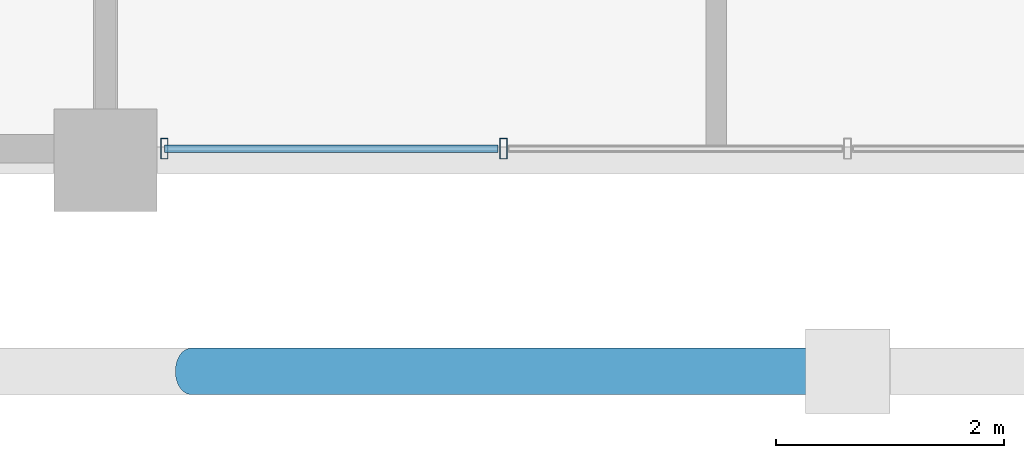
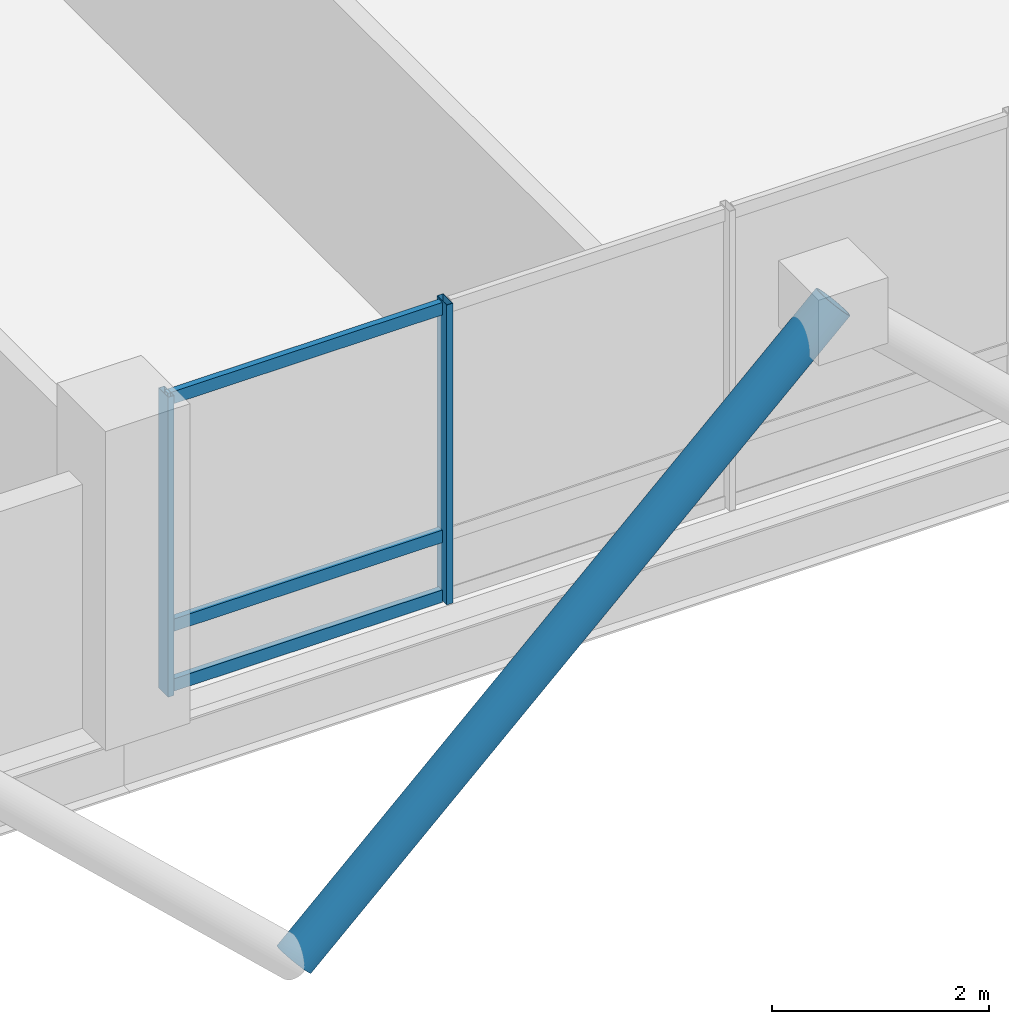
# One storey, part 2 of 23: 6 members, 1 element without a shape of its own.
"""IFC4 building model written with IfcOpenShell, lengths in metres."""

from ifc_helpers import new_model, si_unit, direction, frame, origin, origin_2d, place, context, subcontext, project, spatial, hollow_rectangle, hollow_circle, extrude, material, layer, layer_set, material_profile, profile_set, type_object, element, aggregate, save


model = new_model("IFC4")

# Units and contexts
model_context = context("Model", 3, precision=1e-05, world=origin(), true_north=direction((0.0, 1.0)))
body_context = subcontext(model_context, "Body", "Model", "MODEL_VIEW")
ifc_project = project(units=[si_unit("LENGTHUNIT", "METRE"), si_unit("AREAUNIT", "SQUARE_METRE"), si_unit("VOLUMEUNIT", "CUBIC_METRE"), si_unit("PLANEANGLEUNIT", "RADIAN"), si_unit("MASSUNIT", "GRAM", prefix="KILO")], contexts=[model_context])

# Site, building, storey
site_placement = place(None, origin())
site = spatial("IfcSite", under=ifc_project, at=site_placement, CompositionType="ELEMENT")
building_placement = place(site_placement, origin())
building = spatial("IfcBuilding", under=site, at=building_placement, Name="Barlavira Tower and Art Museum", CompositionType="ELEMENT")
storey_placement = place(building_placement, frame((0.0, 0.0, 290.699951171875)))
storey = spatial("IfcBuildingStorey", under=building, at=storey_placement, Name="L76", CompositionType="ELEMENT", Elevation=290.699951171875)

# Curtain wall, members
ifc_material_1 = material(Name="Low-iron coastal laminated glass", Category="glass")
ifc_layer = layer(ifc_material_1, 0.2099609375, Name="Low-iron coastal laminated glass")
ifc_layer_set = layer_set([ifc_layer], Name="Low-iron coastal laminated glass")
curtain_wall_type = type_object("IfcCurtainWallType", Name="Pale-Metal Unitised Curtain Wall Zone 4", PredefinedType="NOTDEFINED", material=ifc_layer_set)
curtain_wall_placement = place(storey_placement, origin())
curtain_wall = element("IfcCurtainWall", 1, at=curtain_wall_placement, inside=storey, type_object=curtain_wall_type, Name="L76 Curtain Wall CW4-L76-S-B2", PredefinedType="NOTDEFINED")
ifc_material_2 = material(Name="Pale anodised aluminium", Category="aluminium")
ifc_material_profile_1 = material_profile(ifc_material_2, hollow_rectangle(XDim=0.06494140625, YDim=0.179931640625, WallThickness=0.00390625, at=origin_2d()), Name="ALU-MULL 65x180x4")
ifc_profile_set_1 = profile_set([ifc_material_profile_1], Name="Pale anodised aluminium")
member_type_1 = type_object("IfcMemberType", Name="Curtain Wall Pale-Metal Mullion 65x180", PredefinedType="MULLION", material=ifc_profile_set_1)
member_1_placement = place(storey_placement, frame((-5.985107421875, -19.89990234375, 0.0), z_axis=(0.0, 0.0, 1.0), x_axis=(1.0, 0.0, 0.0)))
member_1 = element("IfcMember", 2, at=member_1_placement, type_object=member_type_1, Name="CW4-L76-S-B2 Mullion 0", PredefinedType="MULLION", context=body_context, shape_type="SweptSolid", body=[
    extrude(hollow_rectangle(XDim=0.06494140625, YDim=0.179931640625, WallThickness=0.00390625, at=origin_2d()), origin(), (0.0, 0.0, 1.0), 3.380126953125),
])
member_2_placement = place(storey_placement, frame((-3.014892578125, -19.89990234375, 0.0), z_axis=(0.0, 0.0, 1.0), x_axis=(1.0, 0.0, 0.0)))
member_2 = element("IfcMember", 3, at=member_2_placement, type_object=member_type_1, Name="CW4-L76-S-B2 Mullion 1", PredefinedType="MULLION", context=body_context, shape_type="SweptSolid", body=[
    extrude(hollow_rectangle(XDim=0.06494140625, YDim=0.179931640625, WallThickness=0.00390625, at=origin_2d()), origin(), (0.0, 0.0, 1.0), 3.380126953125),
])
ifc_material_profile_2 = material_profile(ifc_material_2, hollow_rectangle(XDim=0.06494140625, YDim=0.139892578125, WallThickness=0.00390625, at=origin_2d()), Name="ALU-TRAN 65x140x4")
ifc_profile_set_2 = profile_set([ifc_material_profile_2], Name="Pale anodised aluminium")
member_type_2 = type_object("IfcMemberType", Name="Curtain Wall Pale-Metal Transom 65x140", PredefinedType="USERDEFINED", material=ifc_profile_set_2)
member_3_placement = place(storey_placement, frame((-5.985107421875, -19.89990234375, 0.070068359375), z_axis=(1.0, 0.0, 0.0), x_axis=(0.0, 1.0, 0.0)))
member_3 = element("IfcMember", 4, at=member_3_placement, type_object=member_type_2, Name="CW4-L76-S-B2 Transom 0.1", ObjectType="TRANSOM", PredefinedType="USERDEFINED", context=body_context, shape_type="SweptSolid", body=[
    extrude(hollow_rectangle(XDim=0.06494140625, YDim=0.139892578125, WallThickness=0.00390625, at=origin_2d()), origin(), (0.0, 0.0, 1.0), 2.925048828125),
])
member_4_placement = place(storey_placement, frame((-5.985107421875, -19.89990234375, 0.744140625), z_axis=(1.0, 0.0, 0.0), x_axis=(0.0, 1.0, 0.0)))
member_4 = element("IfcMember", 5, at=member_4_placement, type_object=member_type_2, Name="CW4-L76-S-B2 Transom 0.2", ObjectType="TRANSOM", PredefinedType="USERDEFINED", context=body_context, shape_type="SweptSolid", body=[
    extrude(hollow_rectangle(XDim=0.06494140625, YDim=0.139892578125, WallThickness=0.00390625, at=origin_2d()), origin(), (0.0, 0.0, 1.0), 2.925048828125),
])
member_5_placement = place(storey_placement, frame((-5.985107421875, -19.89990234375, 3.31005859375), z_axis=(1.0, 0.0, 0.0), x_axis=(0.0, 1.0, 0.0)))
member_5 = element("IfcMember", 6, at=member_5_placement, type_object=member_type_2, Name="CW4-L76-S-B2 Transom 0.3", ObjectType="TRANSOM", PredefinedType="USERDEFINED", context=body_context, shape_type="SweptSolid", body=[
    extrude(hollow_rectangle(XDim=0.06494140625, YDim=0.139892578125, WallThickness=0.00390625, at=origin_2d()), origin(), (0.0, 0.0, 1.0), 2.925048828125),
])
aggregate(curtain_wall, [member_1, member_2, member_3, member_4, member_5])

# Member
ifc_material_3 = material(Name="Steel S355", Category="steel")
ifc_material_profile_3 = material_profile(ifc_material_3, hollow_circle(Radius=0.203125, WallThickness=0.01611328125, at=origin_2d()), Name="CHS 406.4x16.0")
ifc_profile_set_3 = profile_set([ifc_material_profile_3], Name="Steel S355")
member_type_3 = type_object("IfcMemberType", Name="Pale-Metal Exoskeleton Diagrid Tube CHS 406x16 Steel S355", PredefinedType="BRACE", material=ifc_profile_set_3)
member_6_placement = place(storey_placement, frame((-5.75, -21.85009765625, -1.919921875), z_axis=(0.728950095515, 0.0, 0.684566839869), x_axis=(0.0, 1.0, 0.0)))
element("IfcMember", 7, at=member_6_placement, inside=storey, type_object=member_type_3, Name="L76 Exoskeleton Diagrid Tube S", PredefinedType="BRACE", context=body_context, shape_type="SweptSolid", body=[
    extrude(hollow_circle(Radius=0.203125, WallThickness=0.01611328125, at=origin_2d()), origin(), (0.0, 0.0, 1.0), 7.887939453125),
])

save(model, "model.ifc")
